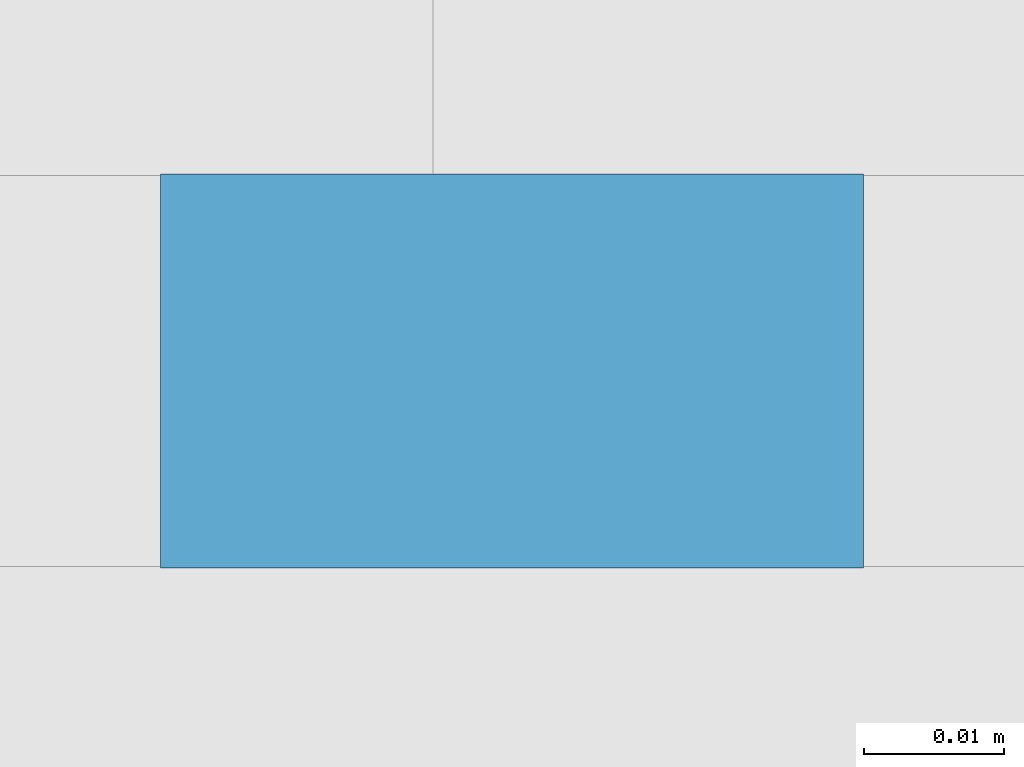
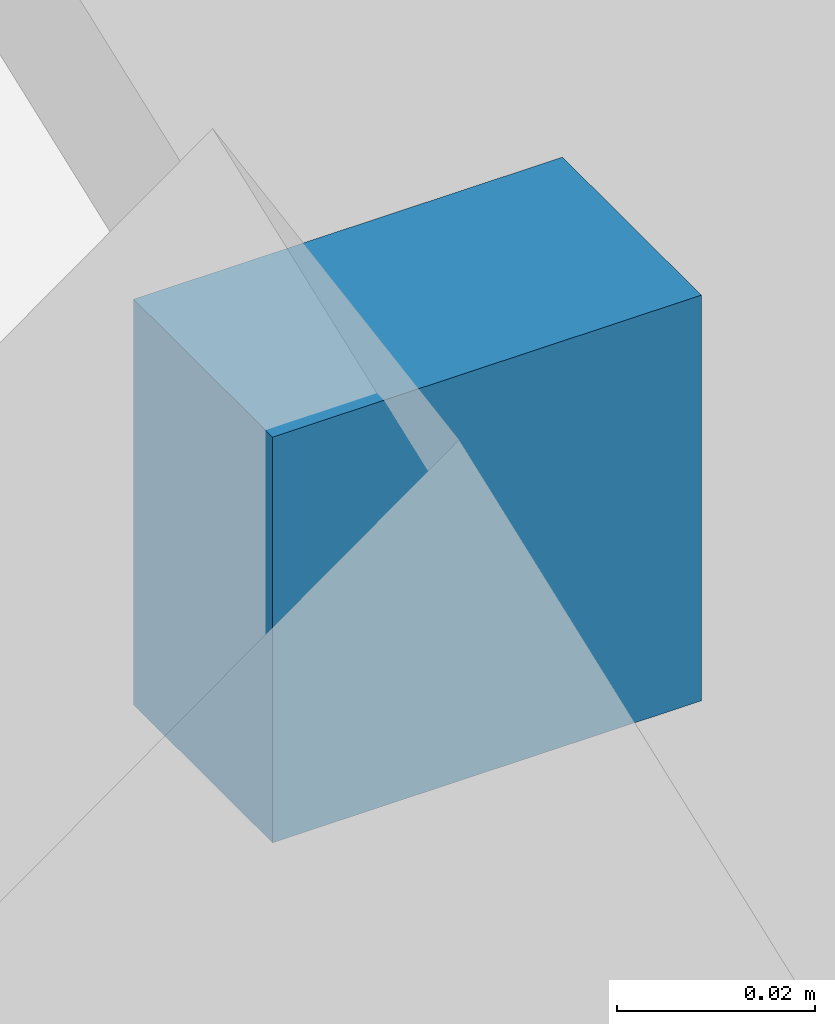
# One storey, part 15 of 18: 1 discrete accessory, 1 element without a shape of its own.
"""IFC4 building model written with IfcOpenShell, lengths in metres."""

import ifcopenshell
import ifcopenshell.guid

model = None  # the IFC model being written
_history = None  # IfcOwnerHistory: only IFC2X3 demands one
_inside = {}  # id of a spatial element -> (the spatial element, [elements in it])
_under = {}  # id of a project, library or spatial element -> (it, [spatial elements below it])
_declared = {}  # id of a project -> (the project, [libraries it declares])
_typed = {}  # id of a type object -> (the type object, [elements of that type])
_made_of = {}  # id of a material, layer set ... -> (it, [elements and type objects made of it])


def new_model(schema):
    """Start an empty IFC model of exactly this schema.

    Asked for "IFC4X3", IfcOpenShell would pick the latest addendum, in which some entities
    have other attributes; the version numbers below select the first issue.
    IFC2X3 requires an IfcOwnerHistory on every rooted entity: one is made here for all.
    """
    global model, _history
    if schema == "IFC4X3":
        model = ifcopenshell.file(schema_version=(4, 3, 0, 0))
    else:
        model = ifcopenshell.file(schema=schema)
    _inside.clear()
    _under.clear()
    _declared.clear()
    _typed.clear()
    _made_of.clear()
    _history = None
    if model.schema == "IFC2X3":
        org = make("IfcOrganization", Name="unknown")
        user = make(
            "IfcPersonAndOrganization",
            ThePerson=make("IfcPerson", FamilyName="unknown"),
            TheOrganization=org,
        )
        app = make(
            "IfcApplication",
            ApplicationDeveloper=org,
            Version="unknown",
            ApplicationFullName="unknown",
            ApplicationIdentifier="unknown",
        )
        _history = make(
            "IfcOwnerHistory",
            OwningUser=user,
            OwningApplication=app,
            ChangeAction="ADDED",
            CreationDate=0,
        )
    return model


def make(cls, **values):
    """One entity of the class cls with the attributes given. An attribute that is None is left unset."""
    return model.create_entity(
        cls, **{name: value for name, value in values.items() if value is not None}
    )


def rooted(cls, **values):
    """An entity with a GlobalId (a new one), such as an element, a storey or a relation."""
    return make(cls, GlobalId=ifcopenshell.guid.new(), OwnerHistory=_history, **values)


def si_unit(unit_type, name, prefix=None):
    """IfcSIUnit, for example si_unit("LENGTHUNIT", "METRE", prefix="MILLI")."""
    return make("IfcSIUnit", UnitType=unit_type, Prefix=prefix, Name=name)


def assignment(units):
    """IfcUnitAssignment: the units of a project."""
    return None if units is None else make("IfcUnitAssignment", Units=units)


def point(xyz):
    """IfcCartesianPoint."""
    return None if xyz is None else make("IfcCartesianPoint", Coordinates=xyz)


def direction(xyz):
    """IfcDirection."""
    return None if xyz is None else make("IfcDirection", DirectionRatios=xyz)


def frame(location, z_axis=None, x_axis=None):
    """IfcAxis2Placement3D, a coordinate frame: its origin and axes. An axis left out is left unset."""
    return make(
        "IfcAxis2Placement3D",
        Location=point(location),
        Axis=direction(z_axis),
        RefDirection=direction(x_axis),
    )


def frame_2d(location, x_axis=None):
    """IfcAxis2Placement2D, a coordinate frame in the plane: its origin and x axis."""
    return make(
        "IfcAxis2Placement2D", Location=point(location), RefDirection=direction(x_axis)
    )


def origin():
    """The frame at (0, 0, 0) with its axes left unset."""
    return frame((0.0, 0.0, 0.0))


def origin_2d():
    """The frame at (0, 0) in the plane with its x axis left unset."""
    return frame_2d((0.0, 0.0))


def place(relative_to, where):
    """IfcLocalPlacement: puts the frame where relative to a parent placement (None: the world)."""
    return make(
        "IfcLocalPlacement", PlacementRelTo=relative_to, RelativePlacement=where
    )


def context(
    kind, dimensions, precision=None, world=None, true_north=None, identifier=None
):
    """IfcGeometricRepresentationContext, for example the 3D "Model" context."""
    return make(
        "IfcGeometricRepresentationContext",
        ContextIdentifier=identifier,
        ContextType=kind,
        CoordinateSpaceDimension=dimensions,
        Precision=precision,
        WorldCoordinateSystem=world,
        TrueNorth=true_north,
    )


def subcontext(parent, identifier, kind, view, scale=None):
    """IfcGeometricRepresentationSubContext, for example "Body" below "Model"."""
    return make(
        "IfcGeometricRepresentationSubContext",
        ContextIdentifier=identifier,
        ContextType=kind,
        ParentContext=parent,
        TargetScale=scale,
        TargetView=view,
    )


def project(units=None, contexts=None):
    """IfcProject with its units and contexts."""
    return rooted(
        "IfcProject",
        Name="project",
        RepresentationContexts=contexts,
        UnitsInContext=assignment(units),
    )


def spatial(cls, under=None, at=None, **own):
    """A site, building, storey or space (cls), placed at a placement, below another one or the project."""
    s = rooted(cls, ObjectPlacement=at, **own)
    if under is not None:
        _under.setdefault(under.id(), (under, []))[1].append(s)
    return s


def profile(cls, at=None, kind="AREA", **sizes):
    """A parametric profile (cls). Its sizes go by their IFC names, for example OverallWidth=200.0."""
    return make(cls, ProfileType=kind, Position=at, **sizes)


def rectangle(**sizes):
    """IfcRectangleProfileDef."""
    return profile("IfcRectangleProfileDef", **sizes)


def extrude(swept, where, along, depth):
    """IfcExtrudedAreaSolid: the profile swept, set in the frame where, extruded along a direction by depth."""
    return make(
        "IfcExtrudedAreaSolid",
        SweptArea=swept,
        Position=where,
        ExtrudedDirection=direction(along),
        Depth=depth,
    )


def shape(context_of_items, identifier, shape_type, items):
    """IfcShapeRepresentation: the items that make up one representation, for example the "Body"."""
    return make(
        "IfcShapeRepresentation",
        ContextOfItems=context_of_items,
        RepresentationIdentifier=identifier,
        RepresentationType=shape_type,
        Items=items,
    )


def material(Name=None, Category=None):
    """IfcMaterial."""
    return make("IfcMaterial", Name=Name, Category=Category)


def made_of(thing, what):
    """Note that an element or type object is made of a material, layer set ...; save() writes the relation."""
    if what is not None:
        _made_of.setdefault(what.id(), (what, []))[1].append(thing)
    return thing


def type_object(cls, material=None, **own):
    """A type object (cls), such as IfcWallType, which elements share."""
    return made_of(rooted(cls, **own), material)


def element(
    cls,
    number,
    at=None,
    inside=None,
    cuts=None,
    type_object=None,
    material=None,
    context=None,
    identifier="Body",
    shape_type=None,
    held_by="IfcProductDefinitionShape",
    body=None,
    shapes=None,
    **own,
):
    """One element of the class cls, such as IfcWall. Its Tag is "e" and its number.

    at: its placement. inside: the storey or other place that contains it. cuts: it is an
    opening in that element (IfcRelVoidsElement). A single representation is given by context,
    identifier, shape_type and body (its items); several are given by shapes. held_by: the class
    of the entity that holds the representations. save() writes the other relations.
    """
    e = rooted(cls, Tag="e%d" % number, ObjectPlacement=at, **own)
    if body is not None:
        shapes = [shape(context, identifier, shape_type, body)]
    if shapes is not None:
        e.Representation = make(held_by, Representations=shapes)
    if inside is not None:
        _inside.setdefault(inside.id(), (inside, []))[1].append(e)
    if cuts is not None:
        rooted(
            "IfcRelVoidsElement", RelatingBuildingElement=cuts, RelatedOpeningElement=e
        )
    if type_object is not None:
        _typed.setdefault(type_object.id(), (type_object, []))[1].append(e)
    return made_of(e, material)


def aggregate(whole, parts):
    """IfcRelAggregates: a whole, such as a stair, and the parts it consists of."""
    return rooted("IfcRelAggregates", RelatingObject=whole, RelatedObjects=parts)


def save(model, path):
    """Write the relations noted so far, then the file.

    IfcRelAggregates (storeys below a building ...), IfcRelContainedInSpatialStructure (elements
    in a storey), IfcRelDefinesByType, IfcRelAssociatesMaterial and IfcRelDeclares: one each for
    every whole, place, type object, material and project.
    """
    for whole, parts in _under.values():
        aggregate(whole, parts)
    for where, things in _inside.values():
        rooted(
            "IfcRelContainedInSpatialStructure",
            RelatedElements=things,
            RelatingStructure=where,
        )
    for kind, things in _typed.values():
        rooted("IfcRelDefinesByType", RelatedObjects=things, RelatingType=kind)
    for what, things in _made_of.values():
        rooted("IfcRelAssociatesMaterial", RelatedObjects=things, RelatingMaterial=what)
    for by, libraries in _declared.values():
        rooted("IfcRelDeclares", RelatingContext=by, RelatedDefinitions=libraries)
    model.write(path)


model = new_model("IFC4")

# Units and contexts
model_context = context("Model", 3, precision=1e-05, world=origin(), true_north=direction((0.0, 1.0)))
body_context = subcontext(model_context, "Body", "Model", "MODEL_VIEW")
ifc_project = project(units=[si_unit("LENGTHUNIT", "METRE"), si_unit("AREAUNIT", "SQUARE_METRE"), si_unit("VOLUMEUNIT", "CUBIC_METRE"), si_unit("PLANEANGLEUNIT", "RADIAN"), si_unit("MASSUNIT", "GRAM", prefix="KILO")], contexts=[model_context])

# Site, building, storey
site_placement = place(None, origin())
site = spatial("IfcSite", under=ifc_project, at=site_placement, CompositionType="ELEMENT")
building_placement = place(site_placement, origin())
building = spatial("IfcBuilding", under=site, at=building_placement, Name="Tessera Arch", CompositionType="ELEMENT")
storey_placement = place(building_placement, frame((0.0, 0.0, 185.60009765625)))
storey = spatial("IfcBuildingStorey", under=building, at=storey_placement, Name="L44", CompositionType="ELEMENT", Elevation=185.60009765625)

# Curtain wall, discrete accessory
ifc_material = material(Name="CW3 curtain wall")
curtain_wall_type = type_object("IfcCurtainWallType", Name="CW3 curtain wall", PredefinedType="NOTDEFINED", material=ifc_material)
curtain_wall_placement = place(storey_placement, origin())
curtain_wall = element("IfcCurtainWall", 1, at=curtain_wall_placement, inside=storey, type_object=curtain_wall_type, Name="CW3 curtain wall S27.0/3 L44", PredefinedType="NOTDEFINED")
discrete_accessory_placement = place(storey_placement, frame((32.070068359375, 26.9560546875, 1.1455078125), z_axis=(0.0, 0.0, 1.0), x_axis=(1.0, 0.0, 0.0)))
discrete_accessory = element("IfcDiscreteAccessory", 2, at=discrete_accessory_placement, Name="Glazing bracket", PredefinedType="BRACKET", context=body_context, shape_type="SweptSolid", body=[
    extrude(rectangle(XDim=0.050048828125, YDim=0.028076171875, at=origin_2d()), origin(), (0.0, 0.0, 1.0), 0.050048828125),
])
aggregate(curtain_wall, [discrete_accessory])

save(model, "model.ifc")
